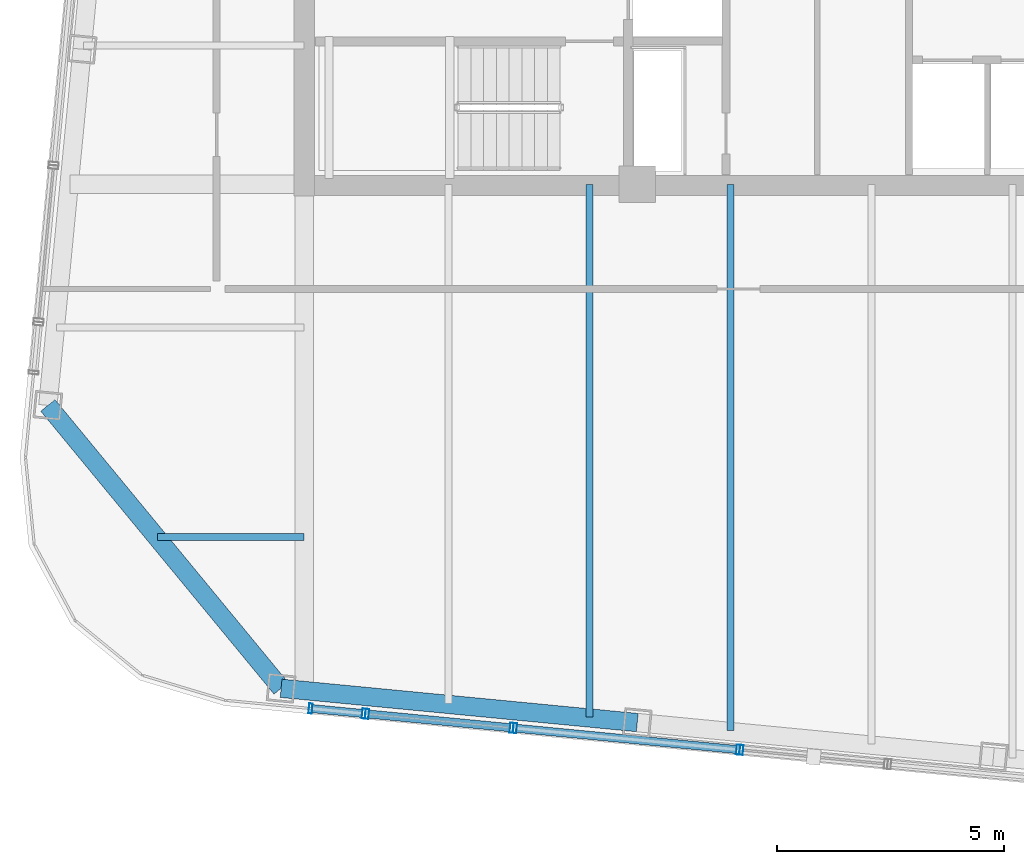
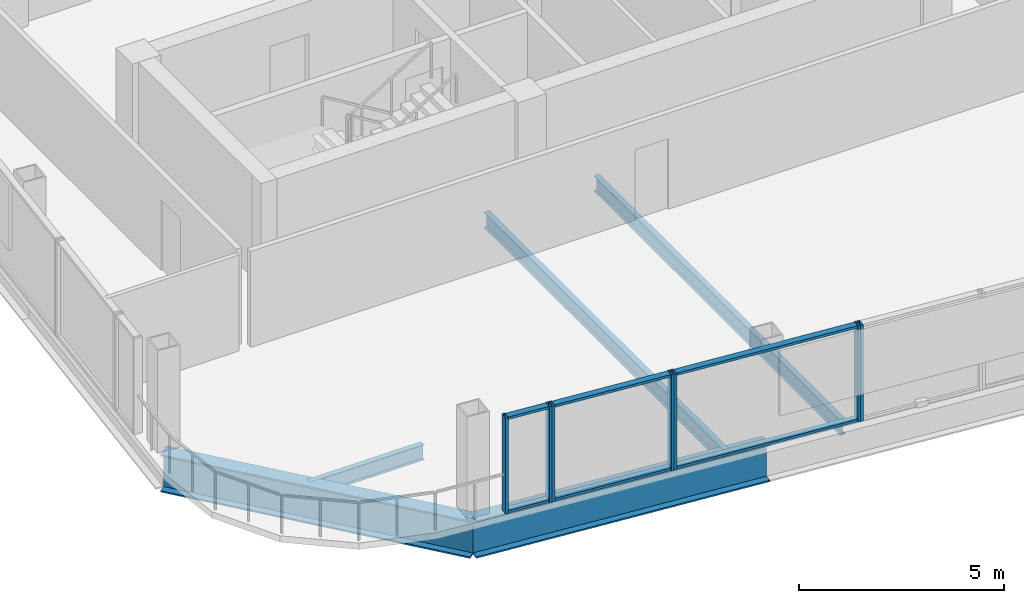
# One storey, part 2 of 22: 13 members, 5 beams, 4 elements without a shape of their own.
"""IFC4 building model written with IfcOpenShell, lengths in metres."""

from ifc_helpers import new_model, si_unit, direction, frame, origin, origin_2d, place, context, subcontext, project, spatial, hollow_rectangle, i_section, extrude, material, layer, layer_set, material_profile, profile_set, type_object, element, aggregate, save


model = new_model("IFC4")

# Units and contexts
model_context = context("Model", 3, precision=1e-05, world=origin(), true_north=direction((0.0, 1.0)))
body_context = subcontext(model_context, "Body", "Model", "MODEL_VIEW")
ifc_project = project(units=[si_unit("LENGTHUNIT", "METRE"), si_unit("AREAUNIT", "SQUARE_METRE"), si_unit("VOLUMEUNIT", "CUBIC_METRE"), si_unit("PLANEANGLEUNIT", "RADIAN"), si_unit("MASSUNIT", "GRAM", prefix="KILO")], contexts=[model_context])

# Site, building, storey
site_placement = place(None, origin())
site = spatial("IfcSite", under=ifc_project, at=site_placement, CompositionType="ELEMENT")
building_placement = place(site_placement, origin())
building = spatial("IfcBuilding", under=site, at=building_placement, Name="Qhalaya Broadcast Tower", CompositionType="ELEMENT")
storey_placement = place(building_placement, frame((0.0, 0.0, 245.89990234375)))
storey = spatial("IfcBuildingStorey", under=building, at=storey_placement, Name="L72", CompositionType="ELEMENT", Elevation=245.89990234375)

# Beams
ifc_material_1 = material(Name="Structural Steel ASTM A992 Grade 50", Category="steel")
ifc_material_profile_1 = material_profile(ifc_material_1, i_section(OverallWidth=0.154052734375, OverallDepth=0.458984375, WebThickness=0.009033203125, FlangeThickness=0.015380859375, at=origin_2d()), Name="W18X46")
ifc_profile_set_1 = profile_set([ifc_material_profile_1], Name="Structural Steel ASTM A992 Grade 50")
beam_type_1 = type_object("IfcBeamType", Name="Composite Floor Joist J04", PredefinedType="JOIST", material=ifc_profile_set_1)
beam_1_placement = place(storey_placement, frame((-3.10009765625, -20.46142578125, -0.41943359375), z_axis=(0.0, 1.0, 0.0), x_axis=(-1.0, 0.0, 0.0)))
element("IfcBeam", 1, at=beam_1_placement, inside=storey, type_object=beam_type_1, Name="L72 J04 L72-JNS2-1", PredefinedType="JOIST", context=body_context, shape_type="SweptSolid", body=[
    extrude(i_section(OverallWidth=0.154052734375, OverallDepth=0.458984375, WebThickness=0.009033203125, FlangeThickness=0.015380859375, at=origin_2d()), origin(), (0.0, 0.0, 1.0), 11.71142578125),
])
beam_2_placement = place(storey_placement, frame((0.0, -20.760009765625, -0.41943359375), z_axis=(0.0, 1.0, 0.0), x_axis=(-1.0, 0.0, 0.0)))
element("IfcBeam", 2, at=beam_2_placement, inside=storey, type_object=beam_type_1, Name="L72 J04 L72-JNS3-1", PredefinedType="JOIST", context=body_context, shape_type="SweptSolid", body=[
    extrude(i_section(OverallWidth=0.154052734375, OverallDepth=0.458984375, WebThickness=0.009033203125, FlangeThickness=0.015380859375, at=origin_2d()), origin(), (0.0, 0.0, 1.0), 12.010009765625),
])
beam_3_placement = place(storey_placement, frame((-12.600830078125, -16.5, -0.41943359375), z_axis=(1.0, 0.0, 0.0), x_axis=(0.0, 1.0, 0.0)))
element("IfcBeam", 3, at=beam_3_placement, inside=storey, type_object=beam_type_1, Name="L72 J04 L72-JWE1W-1", PredefinedType="JOIST", context=body_context, shape_type="SweptSolid", body=[
    extrude(i_section(OverallWidth=0.154052734375, OverallDepth=0.458984375, WebThickness=0.009033203125, FlangeThickness=0.015380859375, at=origin_2d()), origin(), (0.0, 0.0, 1.0), 3.225830078125),
])
ifc_material_profile_2 = material_profile(ifc_material_1, i_section(OverallWidth=0.404052734375, OverallDepth=1.117919921875, WebThickness=0.026123046875, FlangeThickness=0.044921875, at=origin_2d()), Name="W44X335")
ifc_profile_set_2 = profile_set([ifc_material_profile_2], Name="Structural Steel ASTM A992 Grade 50")
beam_type_2 = type_object("IfcBeamType", Name="Podium Long-Span Primary Girder PG1", PredefinedType="USERDEFINED", material=ifc_profile_set_2)
beam_4_placement = place(storey_placement, frame((-9.883056640625, -19.82861328125, -0.7490234375), z_axis=(0.995397308407, -0.095834223619, 0.0), x_axis=(0.095834223619, 0.995397308407, 0.0)))
element("IfcBeam", 4, at=beam_4_placement, inside=storey, type_object=beam_type_2, Name="L72 PG1 L72-SPR-01", ObjectType="GIRDER", PredefinedType="USERDEFINED", context=body_context, shape_type="SweptSolid", body=[
    extrude(i_section(OverallWidth=0.404052734375, OverallDepth=1.117919921875, WebThickness=0.026123046875, FlangeThickness=0.044921875, at=origin_2d()), origin(), (0.0, 0.0, 1.0), 7.86669921875),
])
beam_5_placement = place(storey_placement, frame((-15.010498046875, -13.6083984375, -0.7490234375), z_axis=(0.636070241972, -0.771631160126, 0.0), x_axis=(0.771631160126, 0.636070241972, 0.0)))
element("IfcBeam", 5, at=beam_5_placement, inside=storey, type_object=beam_type_2, Name="L72 PG1 L72-SPR-16", ObjectType="GIRDER", PredefinedType="USERDEFINED", context=body_context, shape_type="SweptSolid", body=[
    extrude(i_section(OverallWidth=0.404052734375, OverallDepth=1.117919921875, WebThickness=0.026123046875, FlangeThickness=0.044921875, at=origin_2d()), origin(), (0.0, 0.0, 1.0), 8.06103515625),
])

# Curtain wall, members
ifc_material_2 = material(Name="Fired Architectural Terracotta", Category="masonry")
ifc_layer_1 = layer(ifc_material_2, 0.219970703125, Name="Fired Architectural Terracotta")
ifc_layer_set_1 = layer_set([ifc_layer_1], Name="Fired Architectural Terracotta")
curtain_wall_type_1 = type_object("IfcCurtainWallType", Name="Block-Cap Unitised Terracotta Spandrel Wall CW-07", PredefinedType="NOTDEFINED", material=ifc_layer_set_1)
curtain_wall_1_placement = place(storey_placement, origin())
curtain_wall_1 = element("IfcCurtainWall", 6, at=curtain_wall_1_placement, inside=storey, type_object=curtain_wall_type_1, Name="L72 Unitised Curtain Wall L72-CW-S1", PredefinedType="NOTDEFINED")
ifc_material_3 = material(Name="Anodised Aluminium 6063-T6", Category="aluminium")
ifc_material_profile_3 = material_profile(ifc_material_3, hollow_rectangle(XDim=0.074951171875, YDim=0.219970703125, WallThickness=0.00390625, at=origin_2d()), Name="ALU-MUL 75x220x4")
ifc_profile_set_3 = profile_set([ifc_material_profile_3], Name="Anodised Aluminium 6063-T6")
member_type_1 = type_object("IfcMemberType", Name="Unitised Curtain-Wall Mullion M01", PredefinedType="MULLION", material=ifc_profile_set_3)
member_1_placement = place(storey_placement, frame((-9.235107421875, -20.272705078125, 0.0), z_axis=(0.0, 0.0, 1.0), x_axis=(0.995396414656, -0.095843506251, 0.0)))
member_1 = element("IfcMember", 7, at=member_1_placement, type_object=member_type_1, Name="CW-07 mullion 1", PredefinedType="MULLION", context=body_context, shape_type="SweptSolid", body=[
    extrude(hollow_rectangle(XDim=0.074951171875, YDim=0.219970703125, WallThickness=0.00390625, at=origin_2d()), origin(), (0.0, 0.0, 1.0), 2.860107421875),
])
member_2_placement = place(storey_placement, frame((-8.0654296875, -20.38525390625, 0.0), z_axis=(0.0, 0.0, 1.0), x_axis=(0.995396414656, -0.095843506251, 0.0)))
member_2 = element("IfcMember", 8, at=member_2_placement, type_object=member_type_1, Name="CW-07 mullion 2", PredefinedType="MULLION", context=body_context, shape_type="SweptSolid", body=[
    extrude(hollow_rectangle(XDim=0.074951171875, YDim=0.219970703125, WallThickness=0.00390625, at=origin_2d()), origin(), (0.0, 0.0, 1.0), 2.860107421875),
])

ifc_material_4 = material(Name="Solar-Control Low-E Triple Glazing", Category="glass")
ifc_layer_2 = layer(ifc_material_4, 0.219970703125, Name="Solar-Control Low-E Triple Glazing")
ifc_layer_set_2 = layer_set([ifc_layer_2], Name="Solar-Control Low-E Triple Glazing")
curtain_wall_type_2 = type_object("IfcCurtainWallType", Name="High-Altitude Upper-Shaft Triple Low-E Curtain Wall CW-04", PredefinedType="NOTDEFINED", material=ifc_layer_set_2)
curtain_wall_2_placement = place(storey_placement, origin())
curtain_wall_2 = element("IfcCurtainWall", 9, at=curtain_wall_2_placement, inside=storey, type_object=curtain_wall_type_2, Name="L72 Unitised Curtain Wall L72-CW-S2", PredefinedType="NOTDEFINED")
member_3_placement = place(storey_placement, frame((-7.990966796875, -20.392333984375, 0.0), z_axis=(0.0, 0.0, 1.0), x_axis=(0.99539724102, -0.095834923543, 0.0)))
member_3 = element("IfcMember", 10, at=member_3_placement, type_object=member_type_1, Name="CW-04 mullion 1", PredefinedType="MULLION", context=body_context, shape_type="SweptSolid", body=[
    extrude(hollow_rectangle(XDim=0.074951171875, YDim=0.219970703125, WallThickness=0.00390625, at=origin_2d()), origin(), (0.0, 0.0, 1.0), 2.860107421875),
])
member_4_placement = place(storey_placement, frame((-4.814453125, -20.6982421875, 0.0), z_axis=(0.0, 0.0, 1.0), x_axis=(0.99539724102, -0.095834923543, 0.0)))
member_4 = element("IfcMember", 11, at=member_4_placement, type_object=member_type_1, Name="CW-04 mullion 2", PredefinedType="MULLION", context=body_context, shape_type="SweptSolid", body=[
    extrude(hollow_rectangle(XDim=0.074951171875, YDim=0.219970703125, WallThickness=0.00390625, at=origin_2d()), origin(), (0.0, 0.0, 1.0), 2.860107421875),
])

curtain_wall_3_placement = place(storey_placement, origin())
curtain_wall_3 = element("IfcCurtainWall", 12, at=curtain_wall_3_placement, inside=storey, type_object=curtain_wall_type_1, Name="L72 Unitised Curtain Wall L72-CW-S3", PredefinedType="NOTDEFINED")
member_5_placement = place(storey_placement, frame((-4.739990234375, -20.705322265625, 0.0), z_axis=(0.0, 0.0, 1.0), x_axis=(0.995394803391, -0.095860238798, 0.0)))
member_5 = element("IfcMember", 13, at=member_5_placement, type_object=member_type_1, Name="CW-07 mullion 1", PredefinedType="MULLION", context=body_context, shape_type="SweptSolid", body=[
    extrude(hollow_rectangle(XDim=0.074951171875, YDim=0.219970703125, WallThickness=0.00390625, at=origin_2d()), origin(), (0.0, 0.0, 1.0), 2.860107421875),
])
member_6_placement = place(storey_placement, frame((0.16357421875, -21.177490234375, 0.0), z_axis=(0.0, 0.0, 1.0), x_axis=(0.995394803391, -0.095860238798, 0.0)))
member_6 = element("IfcMember", 14, at=member_6_placement, type_object=member_type_1, Name="CW-07 mullion 2", PredefinedType="MULLION", context=body_context, shape_type="SweptSolid", body=[
    extrude(hollow_rectangle(XDim=0.074951171875, YDim=0.219970703125, WallThickness=0.00390625, at=origin_2d()), origin(), (0.0, 0.0, 1.0), 2.860107421875),
])

# Curtain wall, member
curtain_wall_4_placement = place(storey_placement, origin())
curtain_wall_4 = element("IfcCurtainWall", 15, at=curtain_wall_4_placement, inside=storey, type_object=curtain_wall_type_2, Name="L72 Unitised Curtain Wall L72-CW-S4", PredefinedType="NOTDEFINED")
member_7_placement = place(storey_placement, frame((0.238037109375, -21.184814453125, 0.0), z_axis=(0.0, 0.0, 1.0), x_axis=(0.995396959799, -0.095837844424, 0.0)))
member_7 = element("IfcMember", 16, at=member_7_placement, type_object=member_type_1, Name="CW-04 mullion 1", PredefinedType="MULLION", context=body_context, shape_type="SweptSolid", body=[
    extrude(hollow_rectangle(XDim=0.074951171875, YDim=0.219970703125, WallThickness=0.00390625, at=origin_2d()), origin(), (0.0, 0.0, 1.0), 2.860107421875),
])
aggregate(curtain_wall_4, [member_7])

# Member
ifc_material_profile_4 = material_profile(ifc_material_3, hollow_rectangle(XDim=0.074951171875, YDim=0.179931640625, WallThickness=0.00390625, at=origin_2d()), Name="ALU-TRN 75x180x4")
ifc_profile_set_4 = profile_set([ifc_material_profile_4], Name="Anodised Aluminium 6063-T6")
member_type_2 = type_object("IfcMemberType", Name="Unitised Curtain-Wall Transom T01", PredefinedType="USERDEFINED", material=ifc_profile_set_4)
member_8_placement = place(storey_placement, frame((-9.19775390625, -20.276123046875, 0.03759765625), z_axis=(0.995393156894, -0.095877334176, 0.0), x_axis=(0.0, 0.0, 1.0)))
member_8 = element("IfcMember", 17, at=member_8_placement, type_object=member_type_2, Name="CW-07 transom 1.1", ObjectType="TRANSOM", PredefinedType="USERDEFINED", context=body_context, shape_type="SweptSolid", body=[
    extrude(hollow_rectangle(XDim=0.074951171875, YDim=0.179931640625, WallThickness=0.00390625, at=origin_2d()), origin(), (0.0, 0.0, 1.0), 1.10009765625),
])

member_9_placement = place(storey_placement, frame((-9.19775390625, -20.276123046875, 2.822509765625), z_axis=(0.995393156894, -0.095877334176, 0.0), x_axis=(0.0, 0.0, 1.0)))
member_9 = element("IfcMember", 18, at=member_9_placement, type_object=member_type_2, Name="CW-07 transom 1.2", ObjectType="TRANSOM", PredefinedType="USERDEFINED", context=body_context, shape_type="SweptSolid", body=[
    extrude(hollow_rectangle(XDim=0.074951171875, YDim=0.179931640625, WallThickness=0.00390625, at=origin_2d()), origin(), (0.0, 0.0, 1.0), 1.10009765625),
])

aggregate(curtain_wall_1, [member_1, member_2, member_8, member_9])

member_10_placement = place(storey_placement, frame((-7.95361328125, -20.39599609375, 0.03759765625), z_axis=(0.995398831742, -0.095818399939, 0.0), x_axis=(0.0, 0.0, 1.0)))
member_10 = element("IfcMember", 19, at=member_10_placement, type_object=member_type_2, Name="CW-04 transom 1.1", ObjectType="TRANSOM", PredefinedType="USERDEFINED", context=body_context, shape_type="SweptSolid", body=[
    extrude(hollow_rectangle(XDim=0.074951171875, YDim=0.179931640625, WallThickness=0.00390625, at=origin_2d()), origin(), (0.0, 0.0, 1.0), 3.1162109375),
])

member_11_placement = place(storey_placement, frame((-7.95361328125, -20.39599609375, 2.822509765625), z_axis=(0.995398831742, -0.095818399939, 0.0), x_axis=(0.0, 0.0, 1.0)))
member_11 = element("IfcMember", 20, at=member_11_placement, type_object=member_type_2, Name="CW-04 transom 1.2", ObjectType="TRANSOM", PredefinedType="USERDEFINED", context=body_context, shape_type="SweptSolid", body=[
    extrude(hollow_rectangle(XDim=0.074951171875, YDim=0.179931640625, WallThickness=0.00390625, at=origin_2d()), origin(), (0.0, 0.0, 1.0), 3.1162109375),
])

aggregate(curtain_wall_2, [member_3, member_4, member_10, member_11])

member_12_placement = place(storey_placement, frame((-4.70263671875, -20.708984375, 0.03759765625), z_axis=(0.995393802609, -0.095870630162, 0.0), x_axis=(0.0, 0.0, 1.0)))
member_12 = element("IfcMember", 21, at=member_12_placement, type_object=member_type_2, Name="CW-07 transom 1.1", ObjectType="TRANSOM", PredefinedType="USERDEFINED", context=body_context, shape_type="SweptSolid", body=[
    extrude(hollow_rectangle(XDim=0.074951171875, YDim=0.179931640625, WallThickness=0.00390625, at=origin_2d()), origin(), (0.0, 0.0, 1.0), 4.851318359375),
])

member_13_placement = place(storey_placement, frame((-4.70263671875, -20.708984375, 2.822509765625), z_axis=(0.995393802609, -0.095870630162, 0.0), x_axis=(0.0, 0.0, 1.0)))
member_13 = element("IfcMember", 22, at=member_13_placement, type_object=member_type_2, Name="CW-07 transom 1.2", ObjectType="TRANSOM", PredefinedType="USERDEFINED", context=body_context, shape_type="SweptSolid", body=[
    extrude(hollow_rectangle(XDim=0.074951171875, YDim=0.179931640625, WallThickness=0.00390625, at=origin_2d()), origin(), (0.0, 0.0, 1.0), 4.851318359375),
])

aggregate(curtain_wall_3, [member_5, member_6, member_12, member_13])

save(model, "model.ifc")
